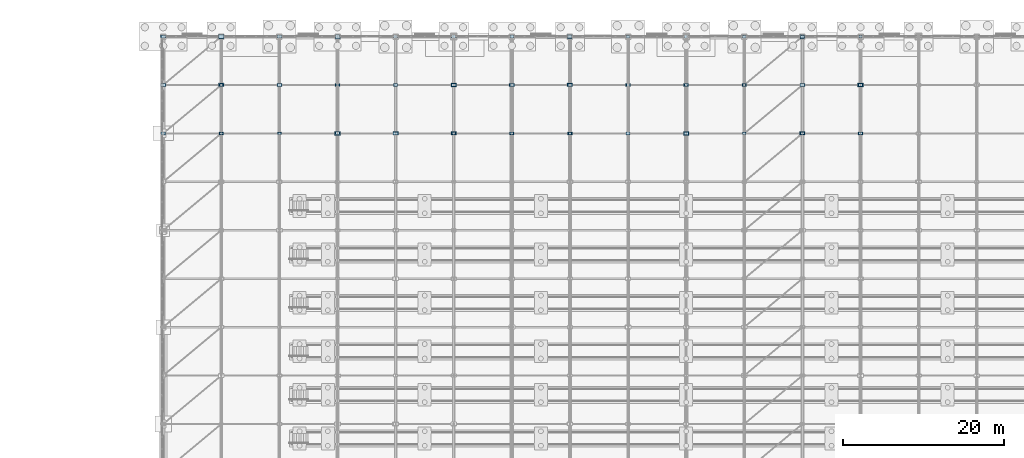
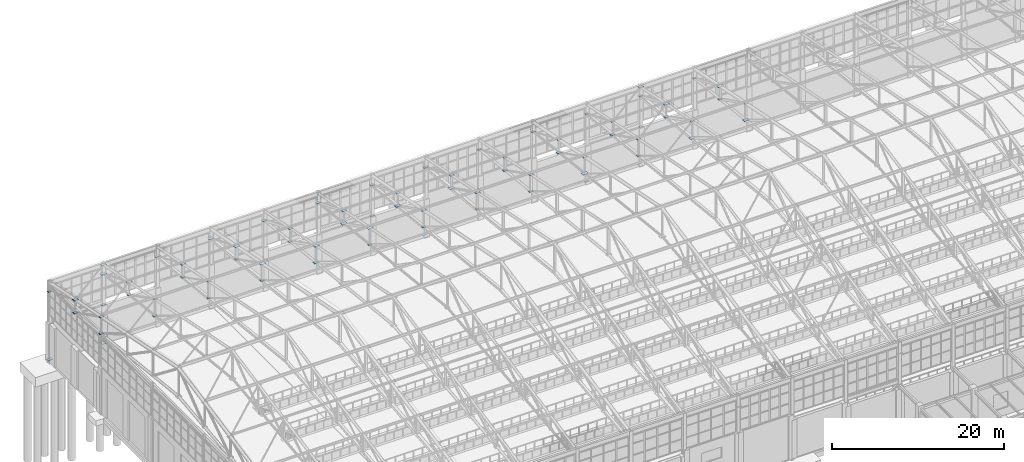
# One storey, part 260 of 293: 76 plates.
"""IFC4 building model written with IfcOpenShell, lengths in metres."""

from ifc_helpers import new_model, si_unit, direction, frame, origin, origin_2d, place, context, subcontext, project, spatial, rectangle, extrude, material, layer, layer_set, type_object, element, save


model = new_model("IFC4")

# Units and contexts
model_context = context("Model", 3, precision=1e-05, world=origin(), true_north=direction((0.0, 1.0)))
body_context = subcontext(model_context, "Body", "Model", "MODEL_VIEW")
ifc_project = project(units=[si_unit("LENGTHUNIT", "METRE"), si_unit("AREAUNIT", "SQUARE_METRE"), si_unit("VOLUMEUNIT", "CUBIC_METRE"), si_unit("PLANEANGLEUNIT", "RADIAN"), si_unit("MASSUNIT", "GRAM", prefix="KILO")], contexts=[model_context])

# Site, building, storey
site_placement = place(None, origin())
site = spatial("IfcSite", under=ifc_project, at=site_placement, CompositionType="ELEMENT")
building_placement = place(site_placement, origin())
building = spatial("IfcBuilding", under=site, at=building_placement, Name="Kemerveld Promenade Tramway Depot", CompositionType="ELEMENT")
storey_placement = place(building_placement, origin())
storey = spatial("IfcBuildingStorey", under=building, at=storey_placement, Name="L00", CompositionType="ELEMENT", Elevation=0.0)

# Plates
ifc_material = material(Name="Steel S355", Category="steel")
ifc_layer_1 = layer(ifc_material, 0.02490234375)
ifc_layer_set_1 = layer_set([ifc_layer_1], Name="PL-BP08")
plate_type_1 = type_object("IfcPlateType", Name="PL-BP08", PredefinedType="USERDEFINED", material=ifc_layer_set_1)
for number, where, z_axis, x_axis, name in (
    (1, (43.199951171875, 144.0, 0.0), (0.0, 0.0, 1.0), (1.0, 0.0, 0.0), "BP-07-U"),
    (2, (57.60009765625, 144.0, 0.0), (0.0, 0.0, 1.0), (1.0, 0.0, 0.0), "BP-09-U"),
    (3, (86.39990234375, 144.0, 0.0), (0.0, 0.0, 1.0), (1.0, 0.0, 0.0), "BP-13-U"),
    (4, (115.199951171875, 144.0, 0.0), (0.0, 0.0, 1.0), (1.0, 0.0, 0.0), "BP-17-U"),
):
    element("IfcPlate", number, at=place(storey_placement, frame(where, z_axis=z_axis, x_axis=x_axis)), inside=storey, type_object=plate_type_1, Name=name, ObjectType="BASE_PLATE", PredefinedType="USERDEFINED", context=body_context, shape_type="SweptSolid", body=[
        extrude(rectangle(XDim=0.550048828125, YDim=0.550048828125, at=origin_2d()), origin(), (0.0, 0.0, 1.0), 0.02490234375),
    ])
ifc_layer_2 = layer(ifc_material, 0.02490234375)
ifc_layer_set_2 = layer_set([ifc_layer_2], Name="PL-GS01")
plate_type_2 = type_object("IfcPlateType", Name="PL-GS01", PredefinedType="USERDEFINED", material=ifc_layer_set_2)
for number, where, z_axis, x_axis, name in (
    (5, (36.0, 144.0, 0.1875), (0.0, 0.0, 1.0), (1.0, 0.0, 0.0), "GP-NODE-0064"),
    (6, (36.0, 138.0, 12.28759765625), (0.0, 0.0, 1.0), (1.0, 0.0, 0.0), "GP-NODE-0088"),
    (7, (50.39990234375, 144.0, 9.78759765625), (0.0, 0.0, 1.0), (1.0, 0.0, 0.0), "GP-NODE-0124"),
    (8, (64.800048828125, 132.0, 13.487548828125), (0.0, 0.0, 1.0), (1.0, 0.0, 0.0), "GP-NODE-0160"),
    (9, (79.199951171875, 138.0, 10.447509765625), (0.0, 0.0, 1.0), (1.0, 0.0, 0.0), "GP-NODE-0196"),
    (10, (115.199951171875, 138.0, 12.28759765625), (0.0, 0.0, 1.0), (1.0, 0.0, 0.0), "GP-NODE-0292"),
):
    element("IfcPlate", number, at=place(storey_placement, frame(where, z_axis=z_axis, x_axis=x_axis)), inside=storey, type_object=plate_type_2, Name=name, ObjectType="GUSSET_PLATE", PredefinedType="USERDEFINED", context=body_context, shape_type="SweptSolid", body=[
        extrude(rectangle(XDim=0.64990234375, YDim=0.419921875, at=origin_2d()), origin(), (0.0, 0.0, 1.0), 0.02490234375),
    ])
ifc_layer_3 = layer(ifc_material, 0.02490234375)
ifc_layer_set_3 = layer_set([ifc_layer_3], Name="PL-GS02")
plate_type_3 = type_object("IfcPlateType", Name="PL-GS02", PredefinedType="USERDEFINED", material=ifc_layer_set_3)
for number, where, z_axis, x_axis, name in (
    (11, (43.199951171875, 144.0, 5.450927734375), (0.0, 0.0, 1.0), (1.0, 0.0, 0.0), "GP-NODE-0065"),
    (12, (50.39990234375, 138.0, 12.28759765625), (0.0, 0.0, 1.0), (1.0, 0.0, 0.0), "GP-NODE-0125"),
    (13, (64.800048828125, 144.0, 9.78759765625), (0.0, 0.0, 1.0), (1.0, 0.0, 0.0), "GP-NODE-0161"),
    (14, (79.199951171875, 132.0, 13.487548828125), (0.0, 0.0, 1.0), (1.0, 0.0, 0.0), "GP-NODE-0197"),
    (15, (93.60009765625, 138.0, 10.447509765625), (0.0, 0.0, 1.0), (1.0, 0.0, 0.0), "GP-NODE-0233"),
):
    element("IfcPlate", number, at=place(storey_placement, frame(where, z_axis=z_axis, x_axis=x_axis)), inside=storey, type_object=plate_type_3, Name=name, ObjectType="GUSSET_PLATE", PredefinedType="USERDEFINED", context=body_context, shape_type="SweptSolid", body=[
        extrude(rectangle(XDim=0.580078125, YDim=0.3798828125, at=origin_2d()), origin(), (0.0, 0.0, 1.0), 0.02490234375),
    ])
ifc_layer_4 = layer(ifc_material, 0.02001953125)
ifc_layer_set_4 = layer_set([ifc_layer_4], Name="PL-GS03")
plate_type_4 = type_object("IfcPlateType", Name="PL-GS03", PredefinedType="USERDEFINED", material=ifc_layer_set_4)
for number, where, z_axis, x_axis, name in (
    (16, (36.0, 132.0, 11.110107421875), (0.0, 0.0, 1.0), (1.0, 0.0, 0.0), "GP-06-08"),
    (17, (93.60009765625, 132.0, 11.110107421875), (0.0, 0.0, 1.0), (1.0, 0.0, 0.0), "GP-14-08"),
    (18, (79.199951171875, 144.0, 5.453369140625), (0.0, 0.0, 1.0), (1.0, 0.0, 0.0), "GP-NODE-0066"),
    (19, (43.199951171875, 132.0, 11.110107421875), (0.0, 0.0, 1.0), (1.0, 0.0, 0.0), "GP-NODE-0102"),
    (20, (64.800048828125, 138.0, 12.2900390625), (0.0, 0.0, 1.0), (1.0, 0.0, 0.0), "GP-NODE-0162"),
    (21, (79.199951171875, 144.0, 9.7900390625), (0.0, 0.0, 1.0), (1.0, 0.0, 0.0), "GP-NODE-0198"),
    (22, (93.60009765625, 132.0, 13.489990234375), (0.0, 0.0, 1.0), (1.0, 0.0, 0.0), "GP-NODE-0234"),
    (23, (108.0, 138.0, 10.449951171875), (0.0, 0.0, 1.0), (1.0, 0.0, 0.0), "GP-NODE-0270"),
):
    element("IfcPlate", number, at=place(storey_placement, frame(where, z_axis=z_axis, x_axis=x_axis)), inside=storey, type_object=plate_type_4, Name=name, ObjectType="GUSSET_PLATE", PredefinedType="USERDEFINED", context=body_context, shape_type="SweptSolid", body=[
        extrude(rectangle(XDim=0.52001953125, YDim=0.340087890625, at=origin_2d()), origin(), (0.0, 0.0, 1.0), 0.02001953125),
    ])
ifc_layer_5 = layer(ifc_material, 0.02001953125)
ifc_layer_set_5 = layer_set([ifc_layer_5], Name="PL-GS04")
plate_type_5 = type_object("IfcPlateType", Name="PL-GS04", PredefinedType="USERDEFINED", material=ifc_layer_set_5)
for number, where, z_axis, x_axis, name in (
    (24, (108.0, 144.0, 0.18994140625), (0.0, 0.0, 1.0), (1.0, 0.0, 0.0), "GP-NODE-0067"),
    (25, (57.60009765625, 132.0, 11.110107421875), (0.0, 0.0, 1.0), (1.0, 0.0, 0.0), "GP-NODE-0139"),
    (26, (79.199951171875, 138.0, 12.2900390625), (0.0, 0.0, 1.0), (1.0, 0.0, 0.0), "GP-NODE-0199"),
    (27, (93.60009765625, 144.0, 9.7900390625), (0.0, 0.0, 1.0), (1.0, 0.0, 0.0), "GP-NODE-0235"),
    (28, (108.0, 132.0, 13.489990234375), (0.0, 0.0, 1.0), (1.0, 0.0, 0.0), "GP-NODE-0271"),
    (29, (122.39990234375, 138.0, 10.449951171875), (0.0, 0.0, 1.0), (1.0, 0.0, 0.0), "GP-NODE-0307"),
):
    element("IfcPlate", number, at=place(storey_placement, frame(where, z_axis=z_axis, x_axis=x_axis)), inside=storey, type_object=plate_type_5, Name=name, ObjectType="GUSSET_PLATE", PredefinedType="USERDEFINED", context=body_context, shape_type="SweptSolid", body=[
        extrude(rectangle(XDim=0.47998046875, YDim=0.320068359375, at=origin_2d()), origin(), (0.0, 0.0, 1.0), 0.02001953125),
    ])
ifc_layer_6 = layer(ifc_material, 0.02001953125)
ifc_layer_set_6 = layer_set([ifc_layer_6], Name="PL-GS05")
plate_type_6 = type_object("IfcPlateType", Name="PL-GS05", PredefinedType="USERDEFINED", material=ifc_layer_set_6)
for number, where, z_axis, x_axis, name in (
    (30, (115.199951171875, 144.0, 5.453369140625), (0.0, 0.0, 1.0), (1.0, 0.0, 0.0), "GP-NODE-0068"),
    (31, (43.199951171875, 138.0, 10.449951171875), (0.0, 0.0, 1.0), (1.0, 0.0, 0.0), "GP-NODE-0104"),
    (32, (72.0, 132.0, 11.110107421875), (0.0, 0.0, 1.0), (1.0, 0.0, 0.0), "GP-NODE-0176"),
    (33, (93.60009765625, 138.0, 12.2900390625), (0.0, 0.0, 1.0), (1.0, 0.0, 0.0), "GP-NODE-0236"),
    (34, (108.0, 144.0, 9.7900390625), (0.0, 0.0, 1.0), (1.0, 0.0, 0.0), "GP-NODE-0272"),
    (35, (122.39990234375, 132.0, 13.489990234375), (0.0, 0.0, 1.0), (1.0, 0.0, 0.0), "GP-NODE-0308"),
):
    element("IfcPlate", number, at=place(storey_placement, frame(where, z_axis=z_axis, x_axis=x_axis)), inside=storey, type_object=plate_type_6, Name=name, ObjectType="GUSSET_PLATE", PredefinedType="USERDEFINED", context=body_context, shape_type="SweptSolid", body=[
        extrude(rectangle(XDim=0.43994140625, YDim=0.300048828125, at=origin_2d()), origin(), (0.0, 0.0, 1.0), 0.02001953125),
    ])
ifc_layer_7 = layer(ifc_material, 0.01806640625)
ifc_layer_set_7 = layer_set([ifc_layer_7], Name="PL-GS06")
plate_type_7 = type_object("IfcPlateType", Name="PL-GS06", PredefinedType="USERDEFINED", material=ifc_layer_set_7)
for number, where, z_axis, x_axis, name in (
    (36, (50.39990234375, 132.0, 11.111083984375), (0.0, 0.0, 1.0), (1.0, 0.0, 0.0), "GP-08-08"),
    (37, (108.0, 132.0, 11.111083984375), (0.0, 0.0, 1.0), (1.0, 0.0, 0.0), "GP-16-08"),
    (38, (43.199951171875, 132.0, 13.490966796875), (0.0, 0.0, 1.0), (1.0, 0.0, 0.0), "GP-NODE-0105"),
    (39, (57.60009765625, 138.0, 10.450927734375), (0.0, 0.0, 1.0), (1.0, 0.0, 0.0), "GP-NODE-0141"),
    (40, (86.39990234375, 132.0, 11.111083984375), (0.0, 0.0, 1.0), (1.0, 0.0, 0.0), "GP-NODE-0213"),
    (41, (108.0, 138.0, 12.291015625), (0.0, 0.0, 1.0), (1.0, 0.0, 0.0), "GP-NODE-0273"),
    (42, (122.39990234375, 144.0, 9.791015625), (0.0, 0.0, 1.0), (1.0, 0.0, 0.0), "GP-NODE-0309"),
):
    element("IfcPlate", number, at=place(storey_placement, frame(where, z_axis=z_axis, x_axis=x_axis)), inside=storey, type_object=plate_type_7, Name=name, ObjectType="GUSSET_PLATE", PredefinedType="USERDEFINED", context=body_context, shape_type="SweptSolid", body=[
        extrude(rectangle(XDim=0.39990234375, YDim=0.280029296875, at=origin_2d()), origin(), (0.0, 0.0, 1.0), 0.01806640625),
    ])
ifc_layer_8 = layer(ifc_material, 0.028076171875)
ifc_layer_set_8 = layer_set([ifc_layer_8], Name="PL-GS07")
plate_type_8 = type_object("IfcPlateType", Name="PL-GS07", PredefinedType="USERDEFINED", material=ifc_layer_set_8)
for number, where, z_axis, x_axis, name in (
    (43, (43.199951171875, 144.0, 9.7861328125), (0.0, 0.0, 1.0), (1.0, 0.0, 0.0), "GP-NODE-0106"),
    (44, (57.60009765625, 132.0, 13.48583984375), (0.0, 0.0, 1.0), (1.0, 0.0, 0.0), "GP-NODE-0142"),
    (45, (72.0, 138.0, 10.44580078125), (0.0, 0.0, 1.0), (1.0, 0.0, 0.0), "GP-NODE-0178"),
    (46, (100.800048828125, 132.0, 11.10595703125), (0.0, 0.0, 1.0), (1.0, 0.0, 0.0), "GP-NODE-0250"),
    (47, (122.39990234375, 138.0, 12.2861328125), (0.0, 0.0, 1.0), (1.0, 0.0, 0.0), "GP-NODE-0310"),
):
    element("IfcPlate", number, at=place(storey_placement, frame(where, z_axis=z_axis, x_axis=x_axis)), inside=storey, type_object=plate_type_8, Name=name, ObjectType="GUSSET_PLATE", PredefinedType="USERDEFINED", context=body_context, shape_type="SweptSolid", body=[
        extrude(rectangle(XDim=0.719970703125, YDim=0.4599609375, at=origin_2d()), origin(), (0.0, 0.0, 1.0), 0.028076171875),
    ])
ifc_layer_9 = layer(ifc_material, 0.02587890625)
ifc_layer_set_9 = layer_set([ifc_layer_9], Name="PL-GS08")
plate_type_9 = type_object("IfcPlateType", Name="PL-GS08", PredefinedType="USERDEFINED", material=ifc_layer_set_9)
for number, where, z_axis, x_axis, name in (
    (48, (43.199951171875, 138.0, 12.287109375), (0.0, 0.0, 1.0), (1.0, 0.0, 0.0), "GP-NODE-0107"),
    (49, (57.60009765625, 144.0, 9.787109375), (0.0, 0.0, 1.0), (1.0, 0.0, 0.0), "GP-NODE-0143"),
    (50, (72.0, 132.0, 13.487060546875), (0.0, 0.0, 1.0), (1.0, 0.0, 0.0), "GP-NODE-0179"),
    (51, (86.39990234375, 138.0, 10.447021484375), (0.0, 0.0, 1.0), (1.0, 0.0, 0.0), "GP-NODE-0215"),
    (52, (115.199951171875, 132.0, 11.107177734375), (0.0, 0.0, 1.0), (1.0, 0.0, 0.0), "GP-NODE-0287"),
    (53, (43.199951171875, 144.0, 11.087158203125), (0.0, 0.0, 1.0), (1.0, 0.0, 0.0), "GP-NODE-0479"),
):
    element("IfcPlate", number, at=place(storey_placement, frame(where, z_axis=z_axis, x_axis=x_axis)), inside=storey, type_object=plate_type_9, Name=name, ObjectType="GUSSET_PLATE", PredefinedType="USERDEFINED", context=body_context, shape_type="SweptSolid", body=[
        extrude(rectangle(XDim=0.679931640625, YDim=0.43994140625, at=origin_2d()), origin(), (0.0, 0.0, 1.0), 0.02587890625),
    ])
ifc_layer_10 = layer(ifc_material, 0.02392578125)
ifc_layer_set_10 = layer_set([ifc_layer_10], Name="PL-GS09")
plate_type_10 = type_object("IfcPlateType", Name="PL-GS09", PredefinedType="USERDEFINED", material=ifc_layer_set_10)
for number, where, z_axis, x_axis, name in (
    (54, (64.800048828125, 132.0, 11.108154296875), (0.0, 0.0, 1.0), (1.0, 0.0, 0.0), "GP-10-08"),
    (55, (122.39990234375, 132.0, 11.108154296875), (0.0, 0.0, 1.0), (1.0, 0.0, 0.0), "GP-18-08"),
    (56, (57.60009765625, 138.0, 12.2880859375), (0.0, 0.0, 1.0), (1.0, 0.0, 0.0), "GP-NODE-0144"),
    (57, (72.0, 144.0, 9.7880859375), (0.0, 0.0, 1.0), (1.0, 0.0, 0.0), "GP-NODE-0180"),
    (58, (86.39990234375, 132.0, 13.488037109375), (0.0, 0.0, 1.0), (1.0, 0.0, 0.0), "GP-NODE-0216"),
    (59, (100.800048828125, 138.0, 10.447998046875), (0.0, 0.0, 1.0), (1.0, 0.0, 0.0), "GP-NODE-0252"),
    (60, (115.199951171875, 144.0, 11.088134765625), (0.0, 0.0, 1.0), (1.0, 0.0, 0.0), "GP-NODE-0480"),
):
    element("IfcPlate", number, at=place(storey_placement, frame(where, z_axis=z_axis, x_axis=x_axis)), inside=storey, type_object=plate_type_10, Name=name, ObjectType="GUSSET_PLATE", PredefinedType="USERDEFINED", context=body_context, shape_type="SweptSolid", body=[
        extrude(rectangle(XDim=0.6201171875, YDim=0.39990234375, at=origin_2d()), origin(), (0.0, 0.0, 1.0), 0.02392578125),
    ])
ifc_layer_11 = layer(ifc_material, 0.02197265625)
ifc_layer_set_11 = layer_set([ifc_layer_11], Name="PL-GS10")
plate_type_11 = type_object("IfcPlateType", Name="PL-GS10", PredefinedType="USERDEFINED", material=ifc_layer_set_11)
for number, where, z_axis, x_axis, name in (
    (61, (36.0, 138.0, 10.448974609375), (0.0, 0.0, 1.0), (1.0, 0.0, 0.0), "GP-NODE-0085"),
    (62, (72.0, 138.0, 12.2890625), (0.0, 0.0, 1.0), (1.0, 0.0, 0.0), "GP-NODE-0181"),
    (63, (86.39990234375, 144.0, 9.7890625), (0.0, 0.0, 1.0), (1.0, 0.0, 0.0), "GP-NODE-0217"),
    (64, (100.800048828125, 132.0, 13.489013671875), (0.0, 0.0, 1.0), (1.0, 0.0, 0.0), "GP-NODE-0253"),
    (65, (115.199951171875, 138.0, 10.448974609375), (0.0, 0.0, 1.0), (1.0, 0.0, 0.0), "GP-NODE-0289"),
):
    element("IfcPlate", number, at=place(storey_placement, frame(where, z_axis=z_axis, x_axis=x_axis)), inside=storey, type_object=plate_type_11, Name=name, ObjectType="GUSSET_PLATE", PredefinedType="USERDEFINED", context=body_context, shape_type="SweptSolid", body=[
        extrude(rectangle(XDim=0.550048828125, YDim=0.360107421875, at=origin_2d()), origin(), (0.0, 0.0, 1.0), 0.02197265625),
    ])
ifc_layer_12 = layer(ifc_material, 0.02001953125)
ifc_layer_set_12 = layer_set([ifc_layer_12], Name="PL-GS11")
plate_type_12 = type_object("IfcPlateType", Name="PL-GS11", PredefinedType="USERDEFINED", material=ifc_layer_set_12)
for number, where, z_axis, x_axis, name in (
    (66, (36.0, 132.0, 13.489990234375), (0.0, 0.0, 1.0), (1.0, 0.0, 0.0), "GP-NODE-0086"),
    (67, (50.39990234375, 138.0, 10.449951171875), (0.0, 0.0, 1.0), (1.0, 0.0, 0.0), "GP-NODE-0122"),
    (68, (86.39990234375, 138.0, 12.2900390625), (0.0, 0.0, 1.0), (1.0, 0.0, 0.0), "GP-NODE-0218"),
    (69, (100.800048828125, 144.0, 9.7900390625), (0.0, 0.0, 1.0), (1.0, 0.0, 0.0), "GP-NODE-0254"),
    (70, (115.199951171875, 132.0, 13.489990234375), (0.0, 0.0, 1.0), (1.0, 0.0, 0.0), "GP-NODE-0290"),
):
    element("IfcPlate", number, at=place(storey_placement, frame(where, z_axis=z_axis, x_axis=x_axis)), inside=storey, type_object=plate_type_12, Name=name, ObjectType="GUSSET_PLATE", PredefinedType="USERDEFINED", context=body_context, shape_type="SweptSolid", body=[
        extrude(rectangle(XDim=0.5, YDim=0.330078125, at=origin_2d()), origin(), (0.0, 0.0, 1.0), 0.02001953125),
    ])
ifc_layer_13 = layer(ifc_material, 0.01806640625)
ifc_layer_set_13 = layer_set([ifc_layer_13], Name="PL-GS12")
plate_type_13 = type_object("IfcPlateType", Name="PL-GS12", PredefinedType="USERDEFINED", material=ifc_layer_set_13)
for number, where, z_axis, x_axis, name in (
    (71, (79.199951171875, 132.0, 11.111083984375), (0.0, 0.0, 1.0), (1.0, 0.0, 0.0), "GP-12-08"),
    (72, (36.0, 144.0, 9.791015625), (0.0, 0.0, 1.0), (1.0, 0.0, 0.0), "GP-NODE-0087"),
    (73, (50.39990234375, 132.0, 13.490966796875), (0.0, 0.0, 1.0), (1.0, 0.0, 0.0), "GP-NODE-0123"),
    (74, (64.800048828125, 138.0, 10.450927734375), (0.0, 0.0, 1.0), (1.0, 0.0, 0.0), "GP-NODE-0159"),
    (75, (100.800048828125, 138.0, 12.291015625), (0.0, 0.0, 1.0), (1.0, 0.0, 0.0), "GP-NODE-0255"),
    (76, (115.199951171875, 144.0, 9.791015625), (0.0, 0.0, 1.0), (1.0, 0.0, 0.0), "GP-NODE-0291"),
):
    element("IfcPlate", number, at=place(storey_placement, frame(where, z_axis=z_axis, x_axis=x_axis)), inside=storey, type_object=plate_type_13, Name=name, ObjectType="GUSSET_PLATE", PredefinedType="USERDEFINED", context=body_context, shape_type="SweptSolid", body=[
        extrude(rectangle(XDim=0.4599609375, YDim=0.31005859375, at=origin_2d()), origin(), (0.0, 0.0, 1.0), 0.01806640625),
    ])

save(model, "model.ifc")
